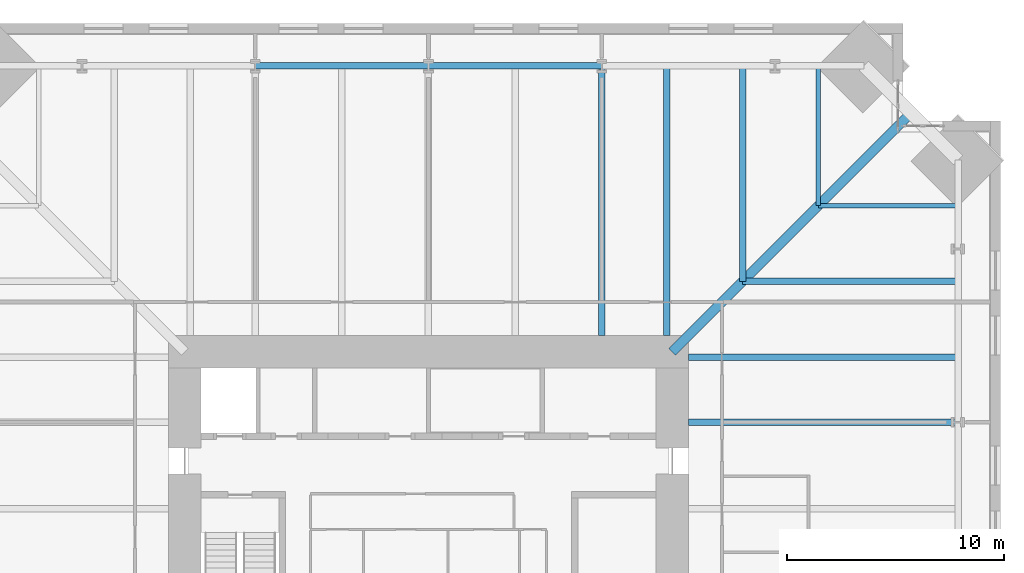
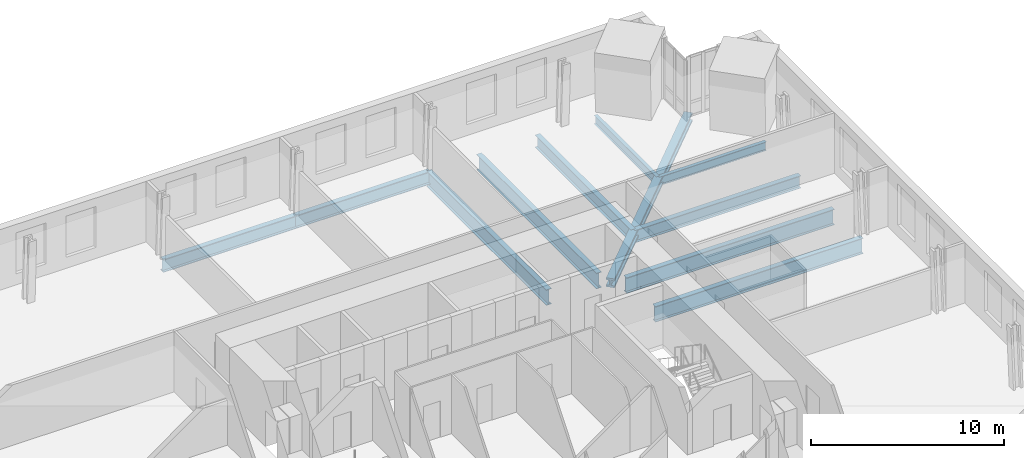
# One storey, part 9 of 18: 11 beams.
"""IFC4 building model written with IfcOpenShell, lengths in metres."""

from ifc_helpers import new_model, si_unit, direction, frame, origin, origin_2d, place, context, subcontext, project, spatial, i_section, extrude, material, material_profile, profile_set, type_object, element, save


model = new_model("IFC4")

# Units and contexts
model_context = context("Model", 3, precision=1e-05, world=origin(), true_north=direction((0.0, 1.0)))
body_context = subcontext(model_context, "Body", "Model", "MODEL_VIEW")
ifc_project = project(units=[si_unit("LENGTHUNIT", "METRE"), si_unit("AREAUNIT", "SQUARE_METRE"), si_unit("VOLUMEUNIT", "CUBIC_METRE"), si_unit("PLANEANGLEUNIT", "RADIAN"), si_unit("MASSUNIT", "GRAM", prefix="KILO")], contexts=[model_context])

# Site, building, storey
site_placement = place(None, origin())
site = spatial("IfcSite", under=ifc_project, at=site_placement, CompositionType="ELEMENT")
building_placement = place(site_placement, origin())
building = spatial("IfcBuilding", under=site, at=building_placement, Name="Peilmerk Tower", CompositionType="ELEMENT")
storey_placement = place(building_placement, frame((0.0, 0.0, 159.800048828125)))
storey = spatial("IfcBuildingStorey", under=building, at=storey_placement, Name="L33", CompositionType="ELEMENT", Elevation=159.800048828125)

# Beams
ifc_material_1 = material(Name="Steel S355", Category="steel")
ifc_material_profile_1 = material_profile(ifc_material_1, i_section(OverallWidth=0.2099609375, OverallDepth=0.550048828125, WebThickness=0.010986328125, FlangeThickness=0.01708984375, at=origin_2d()), Name="IPE 550")
ifc_profile_set_1 = profile_set([ifc_material_profile_1], Name="Steel S355")
beam_type_1 = type_object("IfcBeamType", Name="B12 IPE 550 floor beam", PredefinedType="BEAM", material=ifc_profile_set_1)
for number, where, z_axis, x_axis, name in (
    (1, (18.0, 18.0, -0.445068359375), (0.0, 1.0, 0.0), (-1.0, 0.0, 0.0), "Floor beam L33"),
    (2, (18.0, 18.0, -0.445068359375), (1.0, 0.0, 0.0), (0.0, 1.0, 0.0), "Floor beam L33"),
):
    element("IfcBeam", number, at=place(storey_placement, frame(where, z_axis=z_axis, x_axis=x_axis)), inside=storey, type_object=beam_type_1, Name=name, PredefinedType="BEAM", context=body_context, shape_type="SweptSolid", body=[
        extrude(i_section(OverallWidth=0.2099609375, OverallDepth=0.550048828125, WebThickness=0.010986328125, FlangeThickness=0.01708984375, at=origin_2d()), origin(), (0.0, 0.0, 1.0), 6.453125),
    ])
ifc_material_profile_2 = material_profile(ifc_material_1, i_section(OverallWidth=0.300048828125, OverallDepth=0.989990234375, WebThickness=0.0166015625, FlangeThickness=0.031005859375, at=origin_2d()), Name="HEA 1000")
ifc_profile_set_2 = profile_set([ifc_material_profile_2], Name="Steel S355")
beam_type_2 = type_object("IfcBeamType", Name="B14 HEA 1000 floor girder", PredefinedType="BEAM", material=ifc_profile_set_2)
for number, where, z_axis, x_axis, name in (
    (3, (11.0, 12.0, -0.6650390625), (0.0, 1.0, 0.0), (-1.0, 0.0, 0.0), "Floor beam L33"),
    (4, (8.0, 12.0, -0.6650390625), (0.0, 1.0, 0.0), (-1.0, 0.0, 0.0), "Floor beam L33"),
    (5, (12.0, 8.0, -0.6650390625), (1.0, 0.0, 0.0), (0.0, 1.0, 0.0), "Floor beam L33"),
    (6, (12.0, 11.0, -0.6650390625), (1.0, 0.0, 0.0), (0.0, 1.0, 0.0), "Floor beam L33"),
):
    element("IfcBeam", number, at=place(storey_placement, frame(where, z_axis=z_axis, x_axis=x_axis)), inside=storey, type_object=beam_type_2, Name=name, PredefinedType="BEAM", context=body_context, shape_type="SweptSolid", body=[
        extrude(i_section(OverallWidth=0.300048828125, OverallDepth=0.989990234375, WebThickness=0.0166015625, FlangeThickness=0.031005859375, at=origin_2d()), origin(), (0.0, 0.0, 1.0), 12.453125),
    ])
ifc_material_profile_3 = material_profile(ifc_material_1, i_section(OverallWidth=0.302978515625, OverallDepth=0.81396484375, WebThickness=0.02099609375, FlangeThickness=0.0400390625, at=origin_2d()), Name="HEM 800")
ifc_profile_set_3 = profile_set([ifc_material_profile_3], Name="Steel S355")
beam_type_3 = type_object("IfcBeamType", Name="B15 HEM 800 edge beam", PredefinedType="SPANDREL", material=ifc_profile_set_3)
for number, where, z_axis, x_axis, name in (
    (7, (8.0, 24.453125, -0.5771484375), (-1.0, 0.0, 0.0), (0.0, -1.0, 0.0), "Edge beam L33"),
    (8, (0.0, 24.453125, -0.5771484375), (-1.0, 0.0, 0.0), (0.0, -1.0, 0.0), "Edge beam L33"),
):
    element("IfcBeam", number, at=place(storey_placement, frame(where, z_axis=z_axis, x_axis=x_axis)), inside=storey, type_object=beam_type_3, Name=name, PredefinedType="SPANDREL", context=body_context, shape_type="SweptSolid", body=[
        extrude(i_section(OverallWidth=0.302978515625, OverallDepth=0.81396484375, WebThickness=0.02099609375, FlangeThickness=0.0400390625, at=origin_2d()), origin(), (0.0, 0.0, 1.0), 8.0),
    ])
ifc_material_profile_4 = material_profile(ifc_material_1, i_section(OverallWidth=0.300048828125, OverallDepth=0.7900390625, WebThickness=0.014892578125, FlangeThickness=0.028076171875, at=origin_2d()), Name="HEA 800")
ifc_profile_set_4 = profile_set([ifc_material_profile_4], Name="Steel S355")
beam_type_4 = type_object("IfcBeamType", Name="B3 HEA 800 floor beam", PredefinedType="BEAM", material=ifc_profile_set_4)
for number, where, z_axis, x_axis, name in (
    (9, (14.5, 14.5, -0.56494140625), (0.0, 1.0, 0.0), (-1.0, 0.0, 0.0), "Floor beam L33"),
    (10, (14.5, 14.5, -0.56494140625), (1.0, 0.0, 0.0), (0.0, 1.0, 0.0), "Floor beam L33"),
):
    element("IfcBeam", number, at=place(storey_placement, frame(where, z_axis=z_axis, x_axis=x_axis)), inside=storey, type_object=beam_type_4, Name=name, PredefinedType="BEAM", context=body_context, shape_type="SweptSolid", body=[
        extrude(i_section(OverallWidth=0.300048828125, OverallDepth=0.7900390625, WebThickness=0.014892578125, FlangeThickness=0.028076171875, at=origin_2d()), origin(), (0.0, 0.0, 1.0), 9.953125),
    ])
ifc_material_2 = material(Name="Steel S460", Category="steel")
ifc_material_profile_5 = material_profile(ifc_material_2, i_section(OverallWidth=0.4541015625, OverallDepth=0.569091796875, WebThickness=0.077880859375, FlangeThickness=0.125, at=origin_2d()), Name="HD 400x1086")
ifc_profile_set_5 = profile_set([ifc_material_profile_5], Name="Steel S460")
beam_type_5 = type_object("IfcBeamType", Name="B9 HD 400x1086 corner girder", PredefinedType="BEAM", material=ifc_profile_set_5)
beam_placement = place(storey_placement, frame((11.25, 11.25, -0.45458984375), z_axis=(0.707106781187, 0.707106781187, 0.0), x_axis=(-0.707106781187, 0.707106781187, 0.0)))
element("IfcBeam", 11, at=beam_placement, inside=storey, type_object=beam_type_5, Name="Corner girder L33", PredefinedType="BEAM", context=body_context, shape_type="SweptSolid", body=[
    extrude(i_section(OverallWidth=0.4541015625, OverallDepth=0.569091796875, WebThickness=0.077880859375, FlangeThickness=0.125, at=origin_2d()), origin(), (0.0, 0.0, 1.0), 15.596435546875),
])

save(model, "model.ifc")
